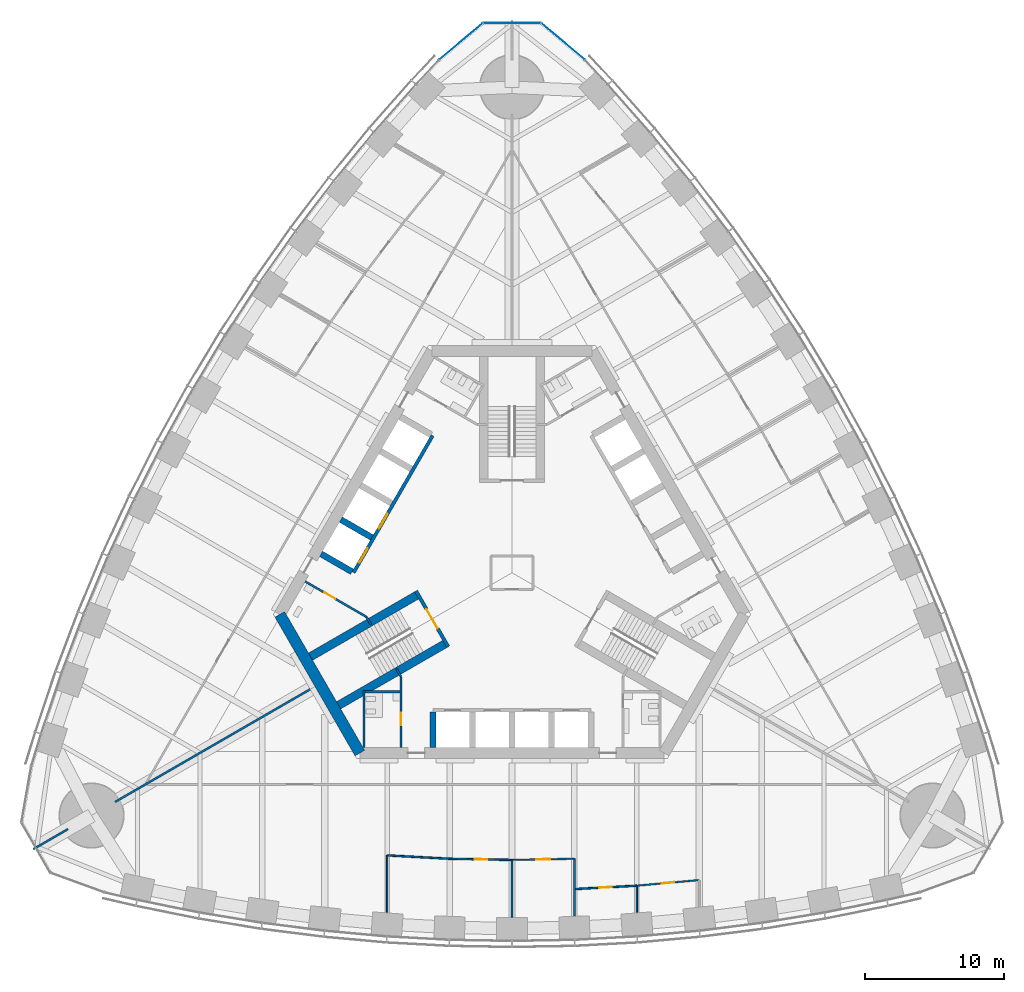
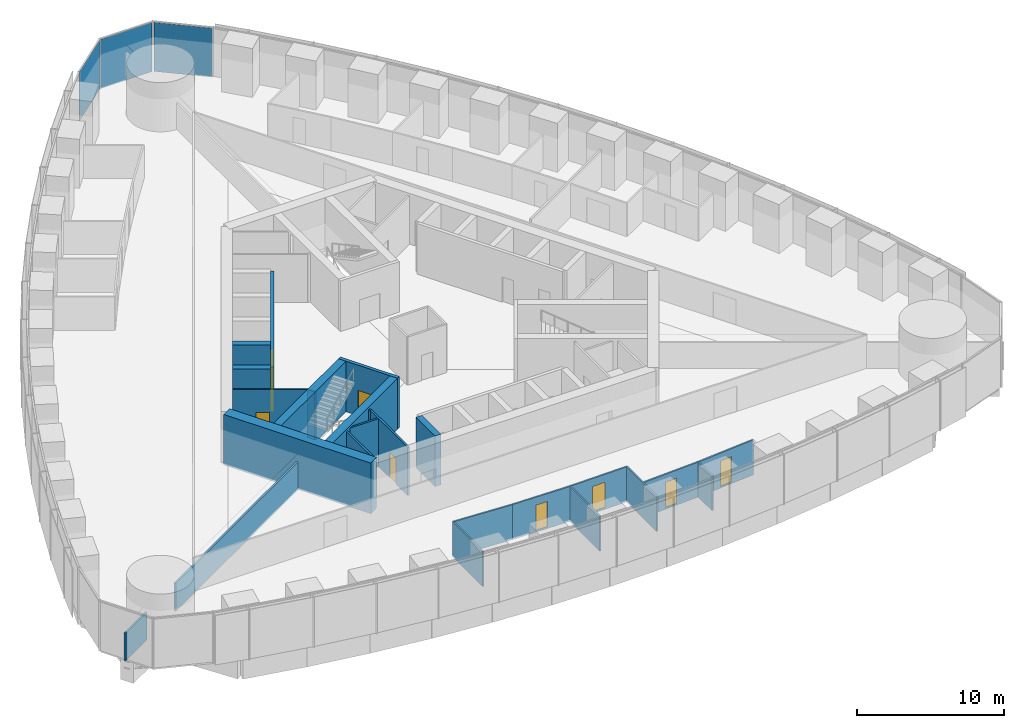
# One storey, part 10 of 18: 25 walls, 9 doors, 3 plates, 9 openings, 1 element without a shape of its own.
"""IFC4 building model written with IfcOpenShell, lengths in metres."""

from ifc_helpers import new_model, si_unit, direction, frame, frame_2d, origin, origin_2d, place, context, subcontext, project, spatial, rectangle, extrude, material, layer, layer_set, type_object, element, fill, aggregate, save


model = new_model("IFC4")

# Units and contexts
model_context = context("Model", 3, precision=1e-05, world=origin(), true_north=direction((0.0, 1.0)))
body_context = subcontext(model_context, "Body", "Model", "MODEL_VIEW")
ifc_project = project(units=[si_unit("LENGTHUNIT", "METRE"), si_unit("AREAUNIT", "SQUARE_METRE"), si_unit("VOLUMEUNIT", "CUBIC_METRE"), si_unit("PLANEANGLEUNIT", "RADIAN"), si_unit("MASSUNIT", "GRAM", prefix="KILO")], contexts=[model_context])

# Site, building, storey
site_placement = place(None, origin())
site = spatial("IfcSite", under=ifc_project, at=site_placement, CompositionType="ELEMENT")
building_placement = place(site_placement, origin())
building = spatial("IfcBuilding", under=site, at=building_placement, Name="Trefoil Bronze Tower", CompositionType="ELEMENT")
storey_placement = place(building_placement, frame((0.0, 0.0, 115.699951171875)))
storey = spatial("IfcBuildingStorey", under=building, at=storey_placement, Name="L26", CompositionType="ELEMENT", Elevation=115.699951171875)

# Curtain wall, plates
ifc_material_1 = material(Name="Tinted solar-control glass", Category="glass")
curtain_wall_type = type_object("IfcCurtainWallType", Name="Bronze rounded corner curtain wall", PredefinedType="USERDEFINED", material=ifc_material_1)
curtain_wall_placement = place(storey_placement, origin())
curtain_wall = element("IfcCurtainWall", 1, at=curtain_wall_placement, inside=storey, type_object=curtain_wall_type, Name="CW-B L26 K2", ObjectType="CURTAIN WALL", PredefinedType="USERDEFINED")
ifc_material_2 = material(Name="Tinted solar-control glass", Category="glass")
ifc_layer_1 = layer(ifc_material_2, 0.030029296875)
ifc_layer_set_1 = layer_set([ifc_layer_1], Name="Bronze rounded corner curtain wall glass panel")
plate_type = type_object("IfcPlateType", Name="Bronze rounded corner curtain wall glass panel", PredefinedType="CURTAIN_PANEL", material=ifc_layer_set_1)
plate_1_placement = place(storey_placement, frame((3.6884765625, 38.294921875, 0.0), z_axis=(0.0, 0.0, 1.0), x_axis=(-0.766044443119, 0.642787609687, 0.0)))
plate_1 = element("IfcPlate", 2, at=plate_1_placement, type_object=plate_type, Name="CW-B L26 K2 panel 1", PredefinedType="CURTAIN_PANEL", context=body_context, shape_type="SweptSolid", body=[
    extrude(rectangle(XDim=4.044189453125, YDim=0.030029296875, at=origin_2d()), origin(), (0.0, 0.0, 1.0), 4.080078125),
])
plate_2_placement = place(storey_placement, frame((0.0, 39.637451171875, 0.0), z_axis=(0.0, 0.0, 1.0), x_axis=(-1.0, 0.0, 0.0)))
plate_2 = element("IfcPlate", 3, at=plate_2_placement, type_object=plate_type, Name="CW-B L26 K2 panel 2", PredefinedType="CURTAIN_PANEL", context=body_context, shape_type="SweptSolid", body=[
    extrude(rectangle(XDim=4.044189453125, YDim=0.030029296875, at=origin_2d()), origin(), (0.0, 0.0, 1.0), 4.080078125),
])
plate_3_placement = place(storey_placement, frame((-3.6884765625, 38.294921875, 0.0), z_axis=(0.0, 0.0, 1.0), x_axis=(-0.766044443119, -0.642787609687, 0.0)))
plate_3 = element("IfcPlate", 4, at=plate_3_placement, type_object=plate_type, Name="CW-B L26 K2 panel 3", PredefinedType="CURTAIN_PANEL", context=body_context, shape_type="SweptSolid", body=[
    extrude(rectangle(XDim=4.044189453125, YDim=0.030029296875, at=origin_2d()), origin(), (0.0, 0.0, 1.0), 4.080078125),
])
aggregate(curtain_wall, [plate_1, plate_2, plate_3])

# Wall
ifc_material_3 = material(Name="Concrete B80", Category="concrete")
ifc_layer_2 = layer(ifc_material_3, 0.800048828125)
ifc_layer_set_2 = layer_set([ifc_layer_2], Name="Core wall 800")
wall_type_1 = type_object("IfcWallType", Name="Core wall 800", PredefinedType="SHEAR", material=ifc_layer_set_2)
wall_1_placement = place(storey_placement, frame((-16.7431640625, -3.0, 0.0), z_axis=(0.0, 0.0, 1.0), x_axis=(0.499995765644, -0.866027848477, 0.0)))
element("IfcWall", 5, at=wall_1_placement, inside=storey, type_object=wall_type_1, Name="Core short wall 3 L26", PredefinedType="SHEAR", context=body_context, shape_type="SweptSolid", body=[
    extrude(rectangle(XDim=11.546875, YDim=0.800048828125, at=frame_2d((5.7734375, 0.0))), origin(), (0.0, 0.0, 1.0), 4.199951171875),
])

# Wall, opening, door
ifc_material_4 = material(Name="Glazed partition", Category="glass")
ifc_layer_3 = layer(ifc_material_4, 0.1201171875)
ifc_layer_set_3 = layer_set([ifc_layer_3], Name="Glazed partition 120")
wall_type_2 = type_object("IfcWallType", Name="Glazed partition 120", PredefinedType="PARTITIONING", material=ifc_layer_set_3)
wall_2_placement = place(storey_placement, frame((0.0, -20.69970703125, 0.0), z_axis=(0.0, 0.0, 1.0), x_axis=(0.999837820638, 0.018009231578, 0.0)))
wall_2 = element("IfcWall", 6, at=wall_2_placement, inside=storey, type_object=wall_type_2, Name="Partition F1 L26", PredefinedType="PARTITIONING", context=body_context, shape_type="SweptSolid", body=[
    extrude(rectangle(XDim=4.500732421875, YDim=0.1201171875, at=frame_2d((2.25048828125, 0.0))), origin(), (0.0, 0.0, 1.0), 2.900146484375),
])
opening_1_placement = place(wall_2_placement, frame((1.75, 0.0, 0.14990234375)))
opening_1 = element("IfcOpeningElement", 7, at=opening_1_placement, cuts=wall_2, Name="Opening D9", PredefinedType="OPENING", context=body_context, shape_type="SweptSolid", body=[
    extrude(rectangle(XDim=1.0, YDim=2.10009765625, at=frame_2d((0.5, 1.050048828125))), frame((0.0, 0.070068359375, 0.0), z_axis=(0.0, -1.0, 0.0), x_axis=(1.0, 0.0, 0.0)), (0.0, 0.0, 1.0), 0.14013671875),
])
ifc_material_5 = material(Name="Glazed timber door", Category="wood")
door_type_1 = type_object("IfcDoorType", Name="Meeting room door 1000", OperationType="SINGLE_SWING_LEFT", PredefinedType="DOOR", material=ifc_material_5)
door_1_placement = place(opening_1_placement, frame((1.0, 0.0, 0.0), z_axis=(0.0, 0.0, 1.0), x_axis=(-1.0, 0.0, 0.0)))
door_1 = element("IfcDoor", 8, at=door_1_placement, inside=storey, type_object=door_type_1, Name="Meeting room door F1 L26", OperationType="SINGLE_SWING_RIGHT", OverallHeight=2.10009765625, OverallWidth=1.0, PredefinedType="DOOR", context=body_context, shape_type="SweptSolid", body=[
    extrude(rectangle(XDim=1.0, YDim=2.10009765625, at=frame_2d((0.5, 1.050048828125))), frame((0.0, 0.02490234375, 0.0), z_axis=(0.0, -1.0, 0.0), x_axis=(1.0, 0.0, 0.0)), (0.0, 0.0, 1.0), 0.050048828125),
])
fill(opening_1, door_1)

wall_3_placement = place(storey_placement, frame((4.5, -22.803466796875, 0.0), z_axis=(0.0, 0.0, 1.0), x_axis=(0.998537376538, 0.054065771581, 0.0)))
wall_3 = element("IfcWall", 9, at=wall_3_placement, inside=storey, type_object=wall_type_2, Name="Partition F1 L26", PredefinedType="PARTITIONING", context=body_context, shape_type="SweptSolid", body=[
    extrude(rectangle(XDim=4.506591796875, YDim=0.1201171875, at=frame_2d((2.25341796875, 0.0))), origin(), (0.0, 0.0, 1.0), 2.900146484375),
])
opening_2_placement = place(wall_3_placement, frame((1.800048828125, 0.0, 0.14990234375)))
opening_2 = element("IfcOpeningElement", 10, at=opening_2_placement, cuts=wall_3, Name="Opening D8", PredefinedType="OPENING", context=body_context, shape_type="SweptSolid", body=[
    extrude(rectangle(XDim=0.89990234375, YDim=2.10009765625, at=frame_2d((0.449951171875, 1.050048828125))), frame((0.0, 0.070068359375, 0.0), z_axis=(0.0, -1.0, 0.0), x_axis=(1.0, 0.0, 0.0)), (0.0, 0.0, 1.0), 0.14013671875),
])
ifc_material_6 = material(Name="Timber door", Category="wood")
door_type_2 = type_object("IfcDoorType", Name="Office door 900", OperationType="SINGLE_SWING_LEFT", PredefinedType="DOOR", material=ifc_material_6)
door_2_placement = place(opening_2_placement, frame((0.89990234375, 0.0, 0.0), z_axis=(0.0, 0.0, 1.0), x_axis=(-1.0, 0.0, 0.0)))
door_2 = element("IfcDoor", 11, at=door_2_placement, inside=storey, type_object=door_type_2, Name="Comms room door F1 L26", OperationType="SINGLE_SWING_RIGHT", OverallHeight=2.10009765625, OverallWidth=0.89990234375, PredefinedType="DOOR", context=body_context, shape_type="SweptSolid", body=[
    extrude(rectangle(XDim=0.89990234375, YDim=2.10009765625, at=frame_2d((0.449951171875, 1.050048828125))), frame((0.0, 0.02490234375, 0.0), z_axis=(0.0, -1.0, 0.0), x_axis=(1.0, 0.0, 0.0)), (0.0, 0.0, 1.0), 0.050048828125),
])
fill(opening_2, door_2)

wall_4_placement = place(storey_placement, frame((9.0, -22.559814453125, 0.0), z_axis=(0.0, 0.0, 1.0), x_axis=(0.995935173755, 0.090072913121, 0.0)))
wall_4 = element("IfcWall", 12, at=wall_4_placement, inside=storey, type_object=wall_type_2, Name="Partition F1 L26", PredefinedType="PARTITIONING", context=body_context, shape_type="SweptSolid", body=[
    extrude(rectangle(XDim=4.518310546875, YDim=0.1201171875, at=frame_2d((2.25927734375, 0.0))), origin(), (0.0, 0.0, 1.0), 2.900146484375),
])
opening_3_placement = place(wall_4_placement, frame((1.800048828125, 0.0, 0.14990234375)))
opening_3 = element("IfcOpeningElement", 13, at=opening_3_placement, cuts=wall_4, Name="Opening D8", PredefinedType="OPENING", context=body_context, shape_type="SweptSolid", body=[
    extrude(rectangle(XDim=0.89990234375, YDim=2.10009765625, at=frame_2d((0.449951171875, 1.050048828125))), frame((0.0, 0.070068359375, 0.0), z_axis=(0.0, -1.0, 0.0), x_axis=(1.0, 0.0, 0.0)), (0.0, 0.0, 1.0), 0.14013671875),
])
door_3_placement = place(opening_3_placement, frame((0.89990234375, 0.0, 0.0), z_axis=(0.0, 0.0, 1.0), x_axis=(-1.0, 0.0, 0.0)))
door_3 = element("IfcDoor", 14, at=door_3_placement, inside=storey, type_object=door_type_2, Name="Comms room door F1 L26", OperationType="SINGLE_SWING_RIGHT", OverallHeight=2.10009765625, OverallWidth=0.89990234375, PredefinedType="DOOR", context=body_context, shape_type="SweptSolid", body=[
    extrude(rectangle(XDim=0.89990234375, YDim=2.10009765625, at=frame_2d((0.449951171875, 1.050048828125))), frame((0.0, 0.02490234375, 0.0), z_axis=(0.0, -1.0, 0.0), x_axis=(1.0, 0.0, 0.0)), (0.0, 0.0, 1.0), 0.050048828125),
])
fill(opening_3, door_3)

wall_5_placement = place(storey_placement, frame((-4.5, -20.61865234375, 0.0), z_axis=(0.0, 0.0, 1.0), x_axis=(0.999837820638, -0.018009231578, 0.0)))
wall_5 = element("IfcWall", 15, at=wall_5_placement, inside=storey, type_object=wall_type_2, Name="Partition F1 L26", PredefinedType="PARTITIONING", context=body_context, shape_type="SweptSolid", body=[
    extrude(rectangle(XDim=4.500732421875, YDim=0.1201171875, at=frame_2d((2.25048828125, 0.0))), origin(), (0.0, 0.0, 1.0), 2.900146484375),
])
opening_4_placement = place(wall_5_placement, frame((1.800048828125, 0.0, 0.14990234375)))
opening_4 = element("IfcOpeningElement", 16, at=opening_4_placement, cuts=wall_5, Name="Opening D8", PredefinedType="OPENING", context=body_context, shape_type="SweptSolid", body=[
    extrude(rectangle(XDim=0.89990234375, YDim=2.10009765625, at=frame_2d((0.449951171875, 1.050048828125))), frame((0.0, 0.070068359375, 0.0), z_axis=(0.0, -1.0, 0.0), x_axis=(1.0, 0.0, 0.0)), (0.0, 0.0, 1.0), 0.14013671875),
])
door_4_placement = place(opening_4_placement, frame((0.89990234375, 0.0, 0.0), z_axis=(0.0, 0.0, 1.0), x_axis=(-1.0, 0.0, 0.0)))
door_4 = element("IfcDoor", 17, at=door_4_placement, inside=storey, type_object=door_type_2, Name="Office door F1 L26", OperationType="SINGLE_SWING_RIGHT", OverallHeight=2.10009765625, OverallWidth=0.89990234375, PredefinedType="DOOR", context=body_context, shape_type="SweptSolid", body=[
    extrude(rectangle(XDim=0.89990234375, YDim=2.10009765625, at=frame_2d((0.449951171875, 1.050048828125))), frame((0.0, 0.02490234375, 0.0), z_axis=(0.0, -1.0, 0.0), x_axis=(1.0, 0.0, 0.0)), (0.0, 0.0, 1.0), 0.050048828125),
])
fill(opening_4, door_4)

# Walls
wall_6_placement = place(storey_placement, frame((-9.0, -20.375, 0.0), z_axis=(0.0, 0.0, 1.0), x_axis=(0.998537376538, -0.054065771581, 0.0)))
element("IfcWall", 18, at=wall_6_placement, inside=storey, type_object=wall_type_2, Name="Partition F1 L26", PredefinedType="PARTITIONING", context=body_context, shape_type="SweptSolid", body=[
    extrude(rectangle(XDim=4.506591796875, YDim=0.1201171875, at=frame_2d((2.25341796875, 0.0))), origin(), (0.0, 0.0, 1.0), 2.900146484375),
])
wall_7_placement = place(storey_placement, frame((0.0, -20.69970703125, 0.0), z_axis=(0.0, 0.0, 1.0), x_axis=(0.0, -1.0, 0.0)))
element("IfcWall", 19, at=wall_7_placement, inside=storey, type_object=wall_type_2, Name="Partition F1 L26", PredefinedType="PARTITIONING", context=body_context, shape_type="SweptSolid", body=[
    extrude(rectangle(XDim=4.119873046875, YDim=0.1201171875, at=frame_2d((2.06005859375, 0.0))), origin(), (0.0, 0.0, 1.0), 2.900146484375),
])
wall_8_placement = place(storey_placement, frame((4.5, -20.61865234375, 0.0), z_axis=(0.0, 0.0, 1.0), x_axis=(0.0, -1.0, 0.0)))
element("IfcWall", 20, at=wall_8_placement, inside=storey, type_object=wall_type_2, Name="Partition F1 L26", PredefinedType="PARTITIONING", context=body_context, shape_type="SweptSolid", body=[
    extrude(rectangle(XDim=4.118896484375, YDim=0.1201171875, at=frame_2d((2.0595703125, 0.0))), origin(), (0.0, 0.0, 1.0), 2.900146484375),
])
wall_9_placement = place(storey_placement, frame((9.0, -22.559814453125, 0.0), z_axis=(0.0, 0.0, 1.0), x_axis=(0.0, -1.0, 0.0)))
element("IfcWall", 21, at=wall_9_placement, inside=storey, type_object=wall_type_2, Name="Partition F1 L26", PredefinedType="PARTITIONING", context=body_context, shape_type="SweptSolid", body=[
    extrude(rectangle(XDim=1.930908203125, YDim=0.1201171875, at=frame_2d((0.96533203125, 0.0))), origin(), (0.0, 0.0, 1.0), 2.900146484375),
])
wall_10_placement = place(storey_placement, frame((-9.0, -20.375, 0.0), z_axis=(0.0, 0.0, 1.0), x_axis=(0.0, -1.0, 0.0)))
element("IfcWall", 22, at=wall_10_placement, inside=storey, type_object=wall_type_2, Name="Partition F1 L26", PredefinedType="PARTITIONING", context=body_context, shape_type="SweptSolid", body=[
    extrude(rectangle(XDim=4.11572265625, YDim=0.1201171875, at=frame_2d((2.057861328125, 0.0))), origin(), (0.0, 0.0, 1.0), 2.900146484375),
])
ifc_material_7 = material(Name="Concrete B80", Category="concrete")
ifc_layer_4 = layer(ifc_material_7, 0.449951171875)
ifc_layer_set_4 = layer_set([ifc_layer_4], Name="Outrigger shaft wall 450")
wall_type_3 = type_object("IfcWallType", Name="Outrigger shaft wall 450", PredefinedType="SHEAR", material=ifc_layer_set_4)
wall_11_placement = place(storey_placement, frame((-5.699951171875, -10.02490234375, 0.0), z_axis=(0.0, 0.0, 1.0), x_axis=(0.0, -1.0, 0.0)))
element("IfcWall", 23, at=wall_11_placement, inside=storey, type_object=wall_type_3, Name="Lift shaft side wall A0 L26", PredefinedType="SHEAR", context=body_context, shape_type="SweptSolid", body=[
    extrude(rectangle(XDim=2.5751953125, YDim=0.449951171875, at=frame_2d((1.28759765625, 0.0))), origin(), (0.0, 0.0, 1.0), 4.199951171875),
])
for number, where, z_axis, x_axis, name in (
    (24, (-10.10693359375, 2.54443359375, 0.0), (0.0, 0.0, 1.0), (-0.866046643894, 0.499963209246, 0.0), "Lift shaft side wall C3 L26"),
    (25, (-11.531982421875, 0.076171875, 0.0), (0.0, 0.0, 1.0), (-0.866005588531, 0.500034319456, 0.0), "Lift shaft side wall C4 L26"),
):
    element("IfcWall", number, at=place(storey_placement, frame(where, z_axis=z_axis, x_axis=x_axis)), inside=storey, type_object=wall_type_3, Name=name, PredefinedType="SHEAR", context=body_context, shape_type="SweptSolid", body=[
        extrude(rectangle(XDim=2.574951171875, YDim=0.449951171875, at=frame_2d((1.28759765625, 0.0))), origin(), (0.0, 0.0, 1.0), 4.199951171875),
    ])

# Wall, opening, door
ifc_material_8 = material(Name="Gypsum board on steel studs", Category="steel")
ifc_layer_5 = layer(ifc_material_8, 0.14990234375)
ifc_layer_set_5 = layer_set([ifc_layer_5], Name="Partition 150")
wall_type_4 = type_object("IfcWallType", Name="Partition 150", PredefinedType="PARTITIONING", material=ifc_layer_set_5)
wall_12_placement = place(storey_placement, frame((-8.0, -7.5, 0.0), z_axis=(0.0, 0.0, 1.0), x_axis=(0.0, -1.0, 0.0)))
wall_12 = element("IfcWall", 26, at=wall_12_placement, inside=storey, type_object=wall_type_4, Name="Passage wall F1- L26", PredefinedType="PARTITIONING", context=body_context, shape_type="SweptSolid", body=[
    extrude(rectangle(XDim=5.10009765625, YDim=0.14990234375, at=frame_2d((2.550048828125, 0.0))), origin(), (0.0, 0.0, 1.0), 4.0),
])
opening_5_placement = place(wall_12_placement, frame((2.60009765625, 0.0, 0.0)))
opening_5 = element("IfcOpeningElement", 27, at=opening_5_placement, cuts=wall_12, Name="Opening D3", PredefinedType="OPENING", context=body_context, shape_type="SweptSolid", body=[
    extrude(rectangle(XDim=0.89990234375, YDim=2.10009765625, at=frame_2d((0.449951171875, 1.050048828125))), frame((0.0, 0.0849609375, 0.0), z_axis=(0.0, -1.0, 0.0), x_axis=(1.0, 0.0, 0.0)), (0.0, 0.0, 1.0), 0.169921875),
])
ifc_material_9 = material(Name="Timber door", Category="wood")
door_type_3 = type_object("IfcDoorType", Name="WC door 900", OperationType="SINGLE_SWING_LEFT", PredefinedType="DOOR", material=ifc_material_9)
door_5_placement = place(opening_5_placement, frame((0.89990234375, 0.0, 0.0), z_axis=(0.0, 0.0, 1.0), x_axis=(-1.0, 0.0, 0.0)))
door_5 = element("IfcDoor", 28, at=door_5_placement, inside=storey, type_object=door_type_3, Name="WC (women) door L26", OperationType="SINGLE_SWING_RIGHT", OverallHeight=2.10009765625, OverallWidth=0.89990234375, PredefinedType="DOOR", context=body_context, shape_type="SweptSolid", body=[
    extrude(rectangle(XDim=0.89990234375, YDim=2.10009765625, at=frame_2d((0.449951171875, 1.050048828125))), frame((0.0, 0.02490234375, 0.0), z_axis=(0.0, -1.0, 0.0), x_axis=(1.0, 0.0, 0.0)), (0.0, 0.0, 1.0), 0.050048828125),
])
fill(opening_5, door_5)

wall_13_placement = place(storey_placement, frame((-10.4951171875, -3.17822265625, 0.0), z_axis=(0.0, 0.0, 1.0), x_axis=(-0.86602216432, 0.500005610874, 0.0)))
wall_13 = element("IfcWall", 29, at=wall_13_placement, inside=storey, type_object=wall_type_4, Name="Passage wall F3+ L26", PredefinedType="PARTITIONING", context=body_context, shape_type="SweptSolid", body=[
    extrude(rectangle(XDim=5.10009765625, YDim=0.14990234375, at=frame_2d((2.550048828125, 0.0))), origin(), (0.0, 0.0, 1.0), 4.0),
])
opening_6_placement = place(wall_13_placement, frame((2.60009765625, 0.0, 0.0)))
opening_6 = element("IfcOpeningElement", 30, at=opening_6_placement, cuts=wall_13, Name="Opening D3", PredefinedType="OPENING", context=body_context, shape_type="SweptSolid", body=[
    extrude(rectangle(XDim=0.89990234375, YDim=2.10009765625, at=frame_2d((0.449951171875, 1.050048828125))), frame((0.0, 0.0849609375, 0.0), z_axis=(0.0, -1.0, 0.0), x_axis=(1.0, 0.0, 0.0)), (0.0, 0.0, 1.0), 0.169921875),
])
door_6_placement = place(opening_6_placement, origin())
door_6 = element("IfcDoor", 31, at=door_6_placement, inside=storey, type_object=door_type_3, Name="Accessible WC door L26", OperationType="SINGLE_SWING_RIGHT", OverallHeight=2.10009765625, OverallWidth=0.89990234375, PredefinedType="DOOR", context=body_context, shape_type="SweptSolid", body=[
    extrude(rectangle(XDim=0.89990234375, YDim=2.10009765625, at=frame_2d((0.449951171875, 1.050048828125))), frame((0.0, 0.02490234375, 0.0), z_axis=(0.0, -1.0, 0.0), x_axis=(1.0, 0.0, 0.0)), (0.0, 0.0, 1.0), 0.050048828125),
])
fill(opening_6, door_6)

# Walls
for number, where, z_axis, x_axis, name in (
    (32, (-10.4951171875, -3.17822265625, 0.0), (0.0, 0.0, 1.0), (0.499842556608, -0.866116284689, 0.0), "WC wall ST3-1 L26"),
    (33, (-8.0, -7.5, 0.0), (0.0, 0.0, 1.0), (-0.499842556608, 0.866116284689, 0.0), "WC wall ST3+1 L26"),
):
    element("IfcWall", number, at=place(storey_placement, frame(where, z_axis=z_axis, x_axis=x_axis)), inside=storey, type_object=wall_type_4, Name=name, PredefinedType="PARTITIONING", context=body_context, shape_type="SweptSolid", body=[
        extrude(rectangle(XDim=0.645263671875, YDim=0.14990234375, at=frame_2d((0.32275390625, 0.0))), origin(), (0.0, 0.0, 1.0), 4.0),
    ])
wall_14_placement = place(storey_placement, frame((-10.659912109375, -8.5, 0.0), z_axis=(0.0, 0.0, 1.0), x_axis=(0.0, -1.0, 0.0)))
element("IfcWall", 34, at=wall_14_placement, inside=storey, type_object=wall_type_4, Name="WC partition WC (women) L26", PredefinedType="PARTITIONING", context=body_context, shape_type="SweptSolid", body=[
    extrude(rectangle(XDim=4.10009765625, YDim=0.14990234375, at=frame_2d((2.050048828125, 0.0))), origin(), (0.0, 0.0, 1.0), 4.0),
])
wall_15_placement = place(storey_placement, frame((-8.074951171875, -8.574951171875, 0.0), z_axis=(0.0, 0.0, 1.0), x_axis=(-1.0, 0.0, 0.0)))
element("IfcWall", 35, at=wall_15_placement, inside=storey, type_object=wall_type_4, Name="WC partition WC (women) L26", PredefinedType="PARTITIONING", context=body_context, shape_type="SweptSolid", body=[
    extrude(rectangle(XDim=2.510009765625, YDim=0.14990234375, at=frame_2d((1.2548828125, 0.0))), origin(), (0.0, 0.0, 1.0), 4.0),
])
ifc_material_10 = material(Name="Gypsum board on steel studs", Category="steel")
ifc_layer_6 = layer(ifc_material_10, 0.14990234375)
ifc_layer_set_6 = layer_set([ifc_layer_6], Name="Party wall 150")
wall_type_5 = type_object("IfcWallType", Name="Party wall 150", PredefinedType="PARTITIONING", material=ifc_layer_set_6)
wall_16_placement = place(storey_placement, frame((-14.202880859375, -8.199951171875, 0.0), z_axis=(0.0, 0.0, 1.0), x_axis=(-0.866024668836, -0.500001272966, 0.0)))
element("IfcWall", 36, at=wall_16_placement, inside=storey, type_object=wall_type_5, Name="Party wall K3 L26", PredefinedType="PARTITIONING", context=body_context, shape_type="SweptSolid", body=[
    extrude(rectangle(XDim=16.64990234375, YDim=0.14990234375, at=frame_2d((8.324951171875, 0.0))), origin(), (0.0, 0.0, 1.0), 2.300048828125),
])
wall_17_placement = place(storey_placement, frame((-31.999755859375, -18.47509765625, 0.0), z_axis=(0.0, 0.0, 1.0), x_axis=(-0.866042548026, -0.499970304126, 0.0)))
element("IfcWall", 37, at=wall_17_placement, inside=storey, type_object=wall_type_5, Name="Party wall K3 L26", PredefinedType="PARTITIONING", context=body_context, shape_type="SweptSolid", body=[
    extrude(rectangle(XDim=2.899169921875, YDim=0.14990234375, at=frame_2d((1.44970703125, 0.0))), origin(), (0.0, 0.0, 1.0), 2.300048828125),
])

# Wall, openings, doors
ifc_material_11 = material(Name="Concrete B80", Category="concrete")
ifc_layer_7 = layer(ifc_material_11, 0.25)
ifc_layer_set_7 = layer_set([ifc_layer_7], Name="Shaft wall 250")
wall_type_6 = type_object("IfcWallType", Name="Shaft wall 250", PredefinedType="SHEAR", material=ifc_layer_set_7)
wall_18_placement = place(storey_placement, frame((-5.7236328125, 9.88623046875, 0.0), z_axis=(0.0, 0.0, 1.0), x_axis=(-0.500001763848, -0.866024385424, 0.0)))
wall_18 = element("IfcWall", 38, at=wall_18_placement, inside=storey, type_object=wall_type_6, Name="Lift shaft front wall C L26", PredefinedType="SHEAR", context=body_context, shape_type="SweptSolid", body=[
    extrude(rectangle(XDim=11.39990234375, YDim=0.25, at=frame_2d((5.699951171875, 0.0))), origin(), (0.0, 0.0, 1.0), 4.199951171875),
])
opening_7_placement = place(wall_18_placement, frame((6.52490234375, 0.0, 0.0)))
opening_7 = element("IfcOpeningElement", 39, at=opening_7_placement, cuts=wall_18, Name="Opening LD-FL1", PredefinedType="OPENING", context=body_context, shape_type="SweptSolid", body=[
    extrude(rectangle(XDim=1.199951171875, YDim=2.199951171875, at=frame_2d((0.60009765625, 1.10009765625))), frame((0.0, 0.135009765625, 0.0), z_axis=(0.0, -1.0, 0.0), x_axis=(1.0, 0.0, 0.0)), (0.0, 0.0, 1.0), 0.27001953125),
])
opening_8_placement = place(wall_18_placement, frame((9.375, 0.0, 0.0)))
opening_8 = element("IfcOpeningElement", 40, at=opening_8_placement, cuts=wall_18, Name="Opening LD-FL2", PredefinedType="OPENING", context=body_context, shape_type="SweptSolid", body=[
    extrude(rectangle(XDim=1.199951171875, YDim=2.199951171875, at=frame_2d((0.60009765625, 1.10009765625))), frame((0.0, 0.135009765625, 0.0), z_axis=(0.0, -1.0, 0.0), x_axis=(1.0, 0.0, 0.0)), (0.0, 0.0, 1.0), 0.27001953125),
])
ifc_material_12 = material(Name="Steel door", Category="steel")
door_type_4 = type_object("IfcDoorType", Name="Lift landing door 1200", OperationType="DOUBLE_DOOR_SLIDING", PredefinedType="DOOR", material=ifc_material_12)
door_7_placement = place(opening_7_placement, origin())
door_7 = element("IfcDoor", 41, at=door_7_placement, inside=storey, type_object=door_type_4, Name="Lift FL1 landing door L26", OperationType="DOUBLE_DOOR_SLIDING", OverallHeight=2.199951171875, OverallWidth=1.199951171875, PredefinedType="DOOR", context=body_context, shape_type="SweptSolid", body=[
    extrude(rectangle(XDim=1.199951171875, YDim=2.199951171875, at=frame_2d((0.60009765625, 1.10009765625))), frame((0.0, 0.02490234375, 0.0), z_axis=(0.0, -1.0, 0.0), x_axis=(1.0, 0.0, 0.0)), (0.0, 0.0, 1.0), 0.050048828125),
])
fill(opening_7, door_7)
door_8_placement = place(opening_8_placement, origin())
door_8 = element("IfcDoor", 42, at=door_8_placement, inside=storey, type_object=door_type_4, Name="Lift FL2 landing door L26", OperationType="DOUBLE_DOOR_SLIDING", OverallHeight=2.199951171875, OverallWidth=1.199951171875, PredefinedType="DOOR", context=body_context, shape_type="SweptSolid", body=[
    extrude(rectangle(XDim=1.199951171875, YDim=2.199951171875, at=frame_2d((0.60009765625, 1.10009765625))), frame((0.0, 0.02490234375, 0.0), z_axis=(0.0, -1.0, 0.0), x_axis=(1.0, 0.0, 0.0)), (0.0, 0.0, 1.0), 0.050048828125),
])
fill(opening_8, door_8)

# Wall, opening, door
wall_19_placement = place(storey_placement, frame((-6.921630859375, -1.3115234375, 0.0), z_axis=(0.0, 0.0, 1.0), x_axis=(0.499984536904, -0.866034331223, 0.0)))
wall_19 = element("IfcWall", 43, at=wall_19_placement, inside=storey, type_object=wall_type_6, Name="Stair end wall ST3 L26", PredefinedType="SHEAR", context=body_context, shape_type="SweptSolid", body=[
    extrude(rectangle(XDim=4.650146484375, YDim=0.25, at=frame_2d((2.3251953125, 0.0))), origin(), (0.0, 0.0, 1.0), 4.199951171875),
])
opening_9_placement = place(wall_19_placement, frame((1.52490234375, 0.0, 0.0)))
opening_9 = element("IfcOpeningElement", 44, at=opening_9_placement, cuts=wall_19, Name="Opening D1", PredefinedType="OPENING", context=body_context, shape_type="SweptSolid", body=[
    extrude(rectangle(XDim=1.60009765625, YDim=2.10009765625, at=frame_2d((0.800048828125, 1.050048828125))), frame((0.0, 0.135009765625, 0.0), z_axis=(0.0, -1.0, 0.0), x_axis=(1.0, 0.0, 0.0)), (0.0, 0.0, 1.0), 0.27001953125),
])
ifc_material_13 = material(Name="Steel door", Category="steel")
door_type_5 = type_object("IfcDoorType", Name="Stair door 1600", OperationType="DOUBLE_DOOR_SINGLE_SWING", PredefinedType="DOOR", material=ifc_material_13)
door_9_placement = place(opening_9_placement, frame((1.60009765625, 0.0, 0.0), z_axis=(0.0, 0.0, 1.0), x_axis=(-1.0, 0.0, 0.0)))
door_9 = element("IfcDoor", 45, at=door_9_placement, inside=storey, type_object=door_type_5, Name="Stair door ST3 L26", OperationType="DOUBLE_DOOR_SINGLE_SWING", OverallHeight=2.10009765625, OverallWidth=1.60009765625, PredefinedType="DOOR", context=body_context, shape_type="SweptSolid", body=[
    extrude(rectangle(XDim=1.60009765625, YDim=2.10009765625, at=frame_2d((0.800048828125, 1.050048828125))), frame((0.0, 0.02490234375, 0.0), z_axis=(0.0, -1.0, 0.0), x_axis=(1.0, 0.0, 0.0)), (0.0, 0.0, 1.0), 0.050048828125),
])
fill(opening_9, door_9)

# Walls
ifc_material_14 = material(Name="Concrete B80", Category="concrete")
ifc_layer_8 = layer(ifc_material_14, 0.60009765625)
ifc_layer_set_8 = layer_set([ifc_layer_8], Name="Stair wall 600")
wall_type_7 = type_object("IfcWallType", Name="Stair wall 600", PredefinedType="SHEAR", material=ifc_layer_set_8)
for number, where, z_axis, x_axis, name in (
    (46, (-6.663330078125, -1.5087890625, 0.0), (0.0, 0.0, 1.0), (-0.866019375473, -0.500010441196, 0.0), "Stair wall ST3 L26"),
    (47, (-4.638427734375, -5.01611328125, 0.0), (0.0, 0.0, 1.0), (-0.866019375473, -0.500010441196, 0.0), "Stair wall ST3 L26"),
):
    element("IfcWall", number, at=place(storey_placement, frame(where, z_axis=z_axis, x_axis=x_axis)), inside=storey, type_object=wall_type_7, Name=name, PredefinedType="SHEAR", context=body_context, shape_type="SweptSolid", body=[
        extrude(rectangle(XDim=9.074951171875, YDim=0.60009765625, at=frame_2d((4.53759765625, 0.0))), origin(), (0.0, 0.0, 1.0), 4.199951171875),
    ])

save(model, "model.ifc")
